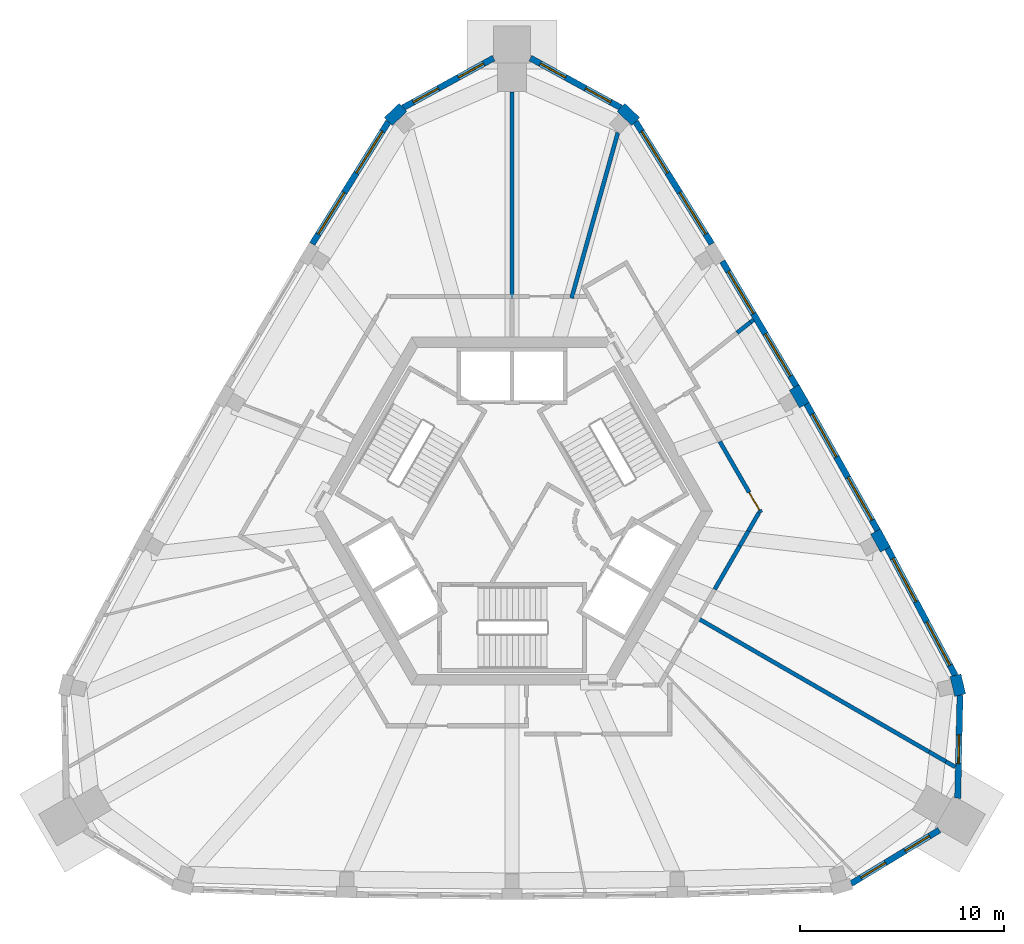
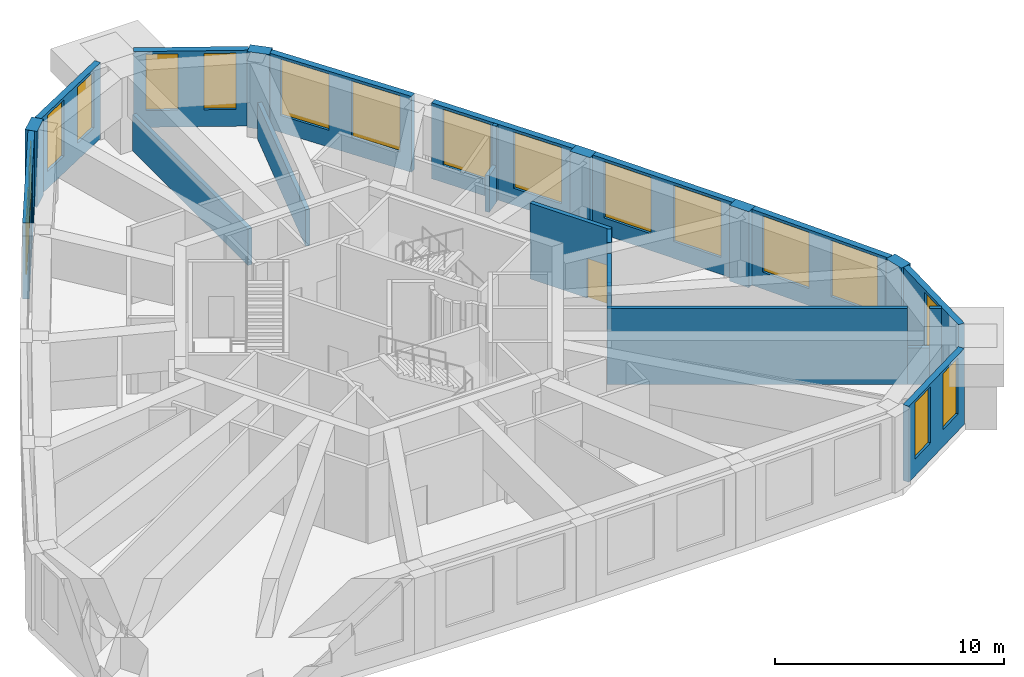
# One storey, part 6 of 9: 25 walls, 17 windows, 1 door, 18 openings.
"""IFC4 building model written with IfcOpenShell, lengths in metres."""

from ifc_helpers import new_model, si_unit, direction, frame, frame_2d, origin, place, context, subcontext, project, spatial, rectangle, extrude, material, layer, layer_set, type_object, element, fill, save


model = new_model("IFC4")

# Units and contexts
model_context = context("Model", 3, precision=1e-05, world=origin(), true_north=direction((0.0, 1.0)))
body_context = subcontext(model_context, "Body", "Model", "MODEL_VIEW")
ifc_project = project(units=[si_unit("LENGTHUNIT", "METRE"), si_unit("AREAUNIT", "SQUARE_METRE"), si_unit("VOLUMEUNIT", "CUBIC_METRE"), si_unit("PLANEANGLEUNIT", "RADIAN"), si_unit("MASSUNIT", "GRAM", prefix="KILO")], contexts=[model_context])

# Site, building, storey
site_placement = place(None, origin())
site = spatial("IfcSite", under=ifc_project, at=site_placement, CompositionType="ELEMENT")
building_placement = place(site_placement, origin())
building = spatial("IfcBuilding", under=site, at=building_placement, Name="Entoto Arch Interchange Tower", CompositionType="ELEMENT")
storey_placement = place(building_placement, frame((0.0, 0.0, 335.89990234375)))
storey = spatial("IfcBuildingStorey", under=building, at=storey_placement, Name="L79", CompositionType="ELEMENT", Elevation=335.89990234375)

# Walls
ifc_material_1 = material(Name="Gypsum board partition on steel studs", Category="steel")
ifc_layer_1 = layer(ifc_material_1, 0.199951171875)
ifc_layer_set_1 = layer_set([ifc_layer_1], Name="Gypsum board partition on steel studs")
wall_type_1 = type_object("IfcWallType", Name="PARTITION 200", PredefinedType="PARTITIONING", material=ifc_layer_set_1)
wall_1_placement = place(storey_placement, frame((9.006103515625, -2.699951171875, 0.0), z_axis=(0.0, 0.0, 1.0), x_axis=(0.86601643423, -0.500015535402, 0.0)))
element("IfcWall", 1, at=wall_1_placement, inside=storey, type_object=wall_type_1, Name="wall:L79:p026", PredefinedType="PARTITIONING", context=body_context, shape_type="SweptSolid", body=[
    extrude(rectangle(XDim=13.1474609375, YDim=0.199951171875, at=frame_2d((6.57373046875, 0.0))), origin(), (0.0, 0.0, 1.0), 4.050048828125),
])
wall_2_placement = place(storey_placement, frame((12.073974609375, 2.4130859375, 0.0), z_axis=(0.0, 0.0, 1.0), x_axis=(-0.499804985043, -0.86613796645, 0.0)))
element("IfcWall", 2, at=wall_2_placement, inside=storey, type_object=wall_type_1, Name="wall:L79:p032", PredefinedType="PARTITIONING", context=body_context, shape_type="SweptSolid", body=[
    extrude(rectangle(XDim=1.0244140625, YDim=0.199951171875, at=frame_2d((0.51220703125, 0.0))), origin(), (0.0, 0.0, 1.0), 4.050048828125),
])
wall_3_placement = place(storey_placement, frame((11.80810546875, 11.84912109375, 0.0), z_axis=(0.0, 0.0, 1.0), x_axis=(-0.782385511742, -0.622794437207, 0.0)))
element("IfcWall", 3, at=wall_3_placement, inside=storey, type_object=wall_type_1, Name="wall:L79:p036", PredefinedType="PARTITIONING", context=body_context, shape_type="SweptSolid", body=[
    extrude(rectangle(XDim=0.188232421875, YDim=0.199951171875, at=frame_2d((0.09423828125, 0.0))), origin(), (0.0, 0.0, 1.0), 4.050048828125),
])
wall_4_placement = place(storey_placement, frame((2.910888671875, 12.904052734375, 0.0), z_axis=(0.0, 0.0, 1.0), x_axis=(0.269466315524, 0.963009815525, 0.0)))
element("IfcWall", 4, at=wall_4_placement, inside=storey, type_object=wall_type_1, Name="wall:L79:p037", PredefinedType="PARTITIONING", context=body_context, shape_type="SweptSolid", body=[
    extrude(rectangle(XDim=8.413330078125, YDim=0.199951171875, at=frame_2d((4.20654296875, 0.0))), origin(), (0.0, 0.0, 1.0), 1.9501953125),
])
wall_5_placement = place(storey_placement, frame((0.0, 12.89990234375, 0.0), z_axis=(0.0, 0.0, 1.0), x_axis=(0.0, 1.0, 0.0)))
element("IfcWall", 5, at=wall_5_placement, inside=storey, type_object=wall_type_1, Name="wall:L79:p038", PredefinedType="PARTITIONING", context=body_context, shape_type="SweptSolid", body=[
    extrude(rectangle(XDim=10.092041015625, YDim=0.199951171875, at=frame_2d((5.0458984375, 0.0))), origin(), (0.0, 0.0, 1.0), 1.9501953125),
])
wall_6_placement = place(storey_placement, frame((20.39208984375, -9.27392578125, 0.0), z_axis=(0.0, 0.0, 1.0), x_axis=(0.865815970987, -0.500362572924, 0.0)))
element("IfcWall", 6, at=wall_6_placement, inside=storey, type_object=wall_type_1, Name="wall:L79:p026", PredefinedType="PARTITIONING", context=body_context, shape_type="SweptSolid", body=[
    extrude(rectangle(XDim=0.957275390625, YDim=0.199951171875, at=frame_2d((0.478515625, 0.0))), origin(), (0.0, 0.0, 1.0), 1.9501953125),
])
wall_7_placement = place(storey_placement, frame((21.220947265625, -9.7529296875, 0.0), z_axis=(0.0, 0.0, 1.0), x_axis=(0.865909406545, -0.500200859313, 0.0)))
element("IfcWall", 7, at=wall_7_placement, inside=storey, type_object=wall_type_1, Name="wall:L79:p026", PredefinedType="PARTITIONING", context=body_context, shape_type="SweptSolid", body=[
    extrude(rectangle(XDim=0.530029296875, YDim=0.199951171875, at=frame_2d((0.26513671875, 0.0))), origin(), (0.0, 0.0, 1.0), 4.050048828125),
])

# Wall, opening, door
wall_8_placement = place(storey_placement, frame((10.1630859375, 5.89599609375, 0.0), z_axis=(0.0, 0.0, 1.0), x_axis=(0.500023722852, -0.866011706956, 0.0)))
wall_8 = element("IfcWall", 8, at=wall_8_placement, inside=storey, type_object=wall_type_1, Name="wall:L79:p031", PredefinedType="PARTITIONING", context=body_context, shape_type="SweptSolid", body=[
    extrude(rectangle(XDim=4.021728515625, YDim=0.199951171875, at=frame_2d((2.0107421875, 0.0))), origin(), (0.0, 0.0, 1.0), 4.050048828125),
])
opening_1_placement = place(wall_8_placement, frame((2.87109375, 0.0, 0.0)))
opening_1 = element("IfcOpeningElement", 9, at=opening_1_placement, cuts=wall_8, Name="Opening L79-D09", PredefinedType="OPENING", context=body_context, shape_type="SweptSolid", body=[
    extrude(rectangle(XDim=1.0, YDim=2.10009765625, at=frame_2d((0.5, 1.050048828125))), frame((0.0, 0.10986328125, 0.0), z_axis=(0.0, -1.0, 0.0), x_axis=(1.0, 0.0, 0.0)), (0.0, 0.0, 1.0), 0.219970703125),
])
ifc_material_2 = material(Name="Timber door leaf in Steel S235 frame", Category="steel")
door_type = type_object("IfcDoorType", Name="DOOR DS-10 1000x2100", OperationType="SINGLE_SWING_LEFT", PredefinedType="DOOR", material=ifc_material_2)
door_placement = place(opening_1_placement, origin())
door = element("IfcDoor", 10, at=door_placement, inside=storey, type_object=door_type, Name="door:L79:09", OperationType="SINGLE_SWING_RIGHT", OverallHeight=2.10009765625, OverallWidth=1.0, PredefinedType="DOOR", context=body_context, shape_type="SweptSolid", body=[
    extrude(rectangle(XDim=1.0, YDim=2.10009765625, at=frame_2d((0.5, 1.050048828125))), frame((0.0, 0.02490234375, 0.0), z_axis=(0.0, -1.0, 0.0), x_axis=(1.0, 0.0, 0.0)), (0.0, 0.0, 1.0), 0.050048828125),
])
fill(opening_1, door)

# Walls
wall_9_placement = place(storey_placement, frame((11.56201171875, 1.52587890625, 0.0), z_axis=(0.0, 0.0, 1.0), x_axis=(-0.500320786851, -0.865840118177, 0.0)))
element("IfcWall", 11, at=wall_9_placement, inside=storey, type_object=wall_type_1, Name="wall:L79:p032", PredefinedType="PARTITIONING", context=body_context, shape_type="SweptSolid", body=[
    extrude(rectangle(XDim=0.84765625, YDim=0.199951171875, at=frame_2d((0.423828125, 0.0))), origin(), (0.0, 0.0, 1.0), 1.9501953125),
])
wall_10_placement = place(storey_placement, frame((11.137939453125, 0.7919921875, 0.0), z_axis=(0.0, 0.0, 1.0), x_axis=(-0.499728202161, -0.866182269482, 0.0)))
element("IfcWall", 12, at=wall_10_placement, inside=storey, type_object=wall_type_1, Name="wall:L79:p032", PredefinedType="PARTITIONING", context=body_context, shape_type="SweptSolid", body=[
    extrude(rectangle(XDim=2.450927734375, YDim=0.199951171875, at=frame_2d((1.2255859375, 0.0))), origin(), (0.0, 0.0, 1.0), 4.050048828125),
])
wall_11_placement = place(storey_placement, frame((11.660888671875, 11.73193359375, 0.0), z_axis=(0.0, 0.0, 1.0), x_axis=(-0.784485189624, -0.620147552813, 0.0)))
element("IfcWall", 13, at=wall_11_placement, inside=storey, type_object=wall_type_1, Name="wall:L79:p036", PredefinedType="PARTITIONING", context=body_context, shape_type="SweptSolid", body=[
    extrude(rectangle(XDim=0.83349609375, YDim=0.199951171875, at=frame_2d((0.416748046875, 0.0))), origin(), (0.0, 0.0, 1.0), 1.9501953125),
])

# Wall, openings, windows
ifc_material_3 = material(Name="Welded tuff (ignimbrite) cladding, warm buff", Category="masonry")
ifc_layer_2 = layer(ifc_material_3, 0.300048828125)
ifc_layer_set_2 = layer_set([ifc_layer_2], Name="Welded tuff (ignimbrite) cladding, warm buff")
wall_type_2 = type_object("IfcWallType", Name="STONE INFILL WALL 300", PredefinedType="STANDARD", material=ifc_layer_set_2)
wall_12_placement = place(storey_placement, frame((16.590087890625, -15.719970703125, 0.0), z_axis=(0.0, 0.0, 1.0), x_axis=(0.854607095238, 0.519275180197, 0.0)))
wall_12 = element("IfcWall", 14, at=wall_12_placement, inside=storey, type_object=wall_type_2, Name="Facade wall SE-01 L79", PredefinedType="STANDARD", context=body_context, shape_type="SweptSolid", body=[
    extrude(rectangle(XDim=5.03955078125, YDim=0.300048828125, at=frame_2d((2.519775390625, 0.0))), origin(), (0.0, 0.0, 1.0), 4.050048828125),
])
opening_2_placement = place(wall_12_placement, frame((0.56005859375, 0.0, 0.89990234375)))
opening_2 = element("IfcOpeningElement", 15, at=opening_2_placement, cuts=wall_12, Name="Opening WK-B", PredefinedType="OPENING", context=body_context, shape_type="SweptSolid", body=[
    extrude(rectangle(XDim=1.39990234375, YDim=3.0, at=frame_2d((0.699951171875, 1.5))), frame((0.0, 0.16015625, 0.0), z_axis=(0.0, -1.0, 0.0), x_axis=(1.0, 0.0, 0.0)), (0.0, 0.0, 1.0), 0.320068359375),
])
opening_3_placement = place(wall_12_placement, frame((3.080078125, 0.0, 0.89990234375)))
opening_3 = element("IfcOpeningElement", 16, at=opening_3_placement, cuts=wall_12, Name="Opening WK-B", PredefinedType="OPENING", context=body_context, shape_type="SweptSolid", body=[
    extrude(rectangle(XDim=1.39990234375, YDim=3.0, at=frame_2d((0.699951171875, 1.5))), frame((0.0, 0.16015625, 0.0), z_axis=(0.0, -1.0, 0.0), x_axis=(1.0, 0.0, 0.0)), (0.0, 0.0, 1.0), 0.320068359375),
])
ifc_material_4 = material(Name="Clear glass, low-e double glazed", Category="glass")
window_type_1 = type_object("IfcWindowType", Name="WINDOW WK-B 1400x3000", PartitioningType="DOUBLE_PANEL_VERTICAL", PredefinedType="WINDOW", material=ifc_material_4)
window_1_placement = place(opening_2_placement, origin())
window_1 = element("IfcWindow", 17, at=window_1_placement, inside=storey, type_object=window_type_1, Name="Window WK-B SE-01 L79", OverallHeight=3.0, OverallWidth=1.39990234375, PartitioningType="SINGLE_PANEL", PredefinedType="WINDOW", context=body_context, shape_type="SweptSolid", body=[
    extrude(rectangle(XDim=1.39990234375, YDim=3.0, at=frame_2d((0.699951171875, 1.5))), frame((0.0, 0.030029296875, 0.0), z_axis=(0.0, -1.0, 0.0), x_axis=(1.0, 0.0, 0.0)), (0.0, 0.0, 1.0), 0.06005859375),
])
fill(opening_2, window_1)
window_2_placement = place(opening_3_placement, origin())
window_2 = element("IfcWindow", 18, at=window_2_placement, inside=storey, type_object=window_type_1, Name="Window WK-B SE-01 L79", OverallHeight=3.0, OverallWidth=1.39990234375, PartitioningType="SINGLE_PANEL", PredefinedType="WINDOW", context=body_context, shape_type="SweptSolid", body=[
    extrude(rectangle(XDim=1.39990234375, YDim=3.0, at=frame_2d((0.699951171875, 1.5))), frame((0.0, 0.030029296875, 0.0), z_axis=(0.0, -1.0, 0.0), x_axis=(1.0, 0.0, 0.0)), (0.0, 0.0, 1.0), 0.06005859375),
])
fill(opening_3, window_2)

# Wall, opening, window
wall_13_placement = place(storey_placement, frame((21.7958984375, -11.5458984375, 0.0), z_axis=(0.0, 0.0, 1.0), x_axis=(0.022431960078, 0.999748371925, 0.0)))
wall_13 = element("IfcWall", 19, at=wall_13_placement, inside=storey, type_object=wall_type_2, Name="Facade wall SE-02 L79", PredefinedType="STANDARD", context=body_context, shape_type="SweptSolid", body=[
    extrude(rectangle(XDim=5.0390625, YDim=0.300048828125, at=frame_2d((2.51953125, 0.0))), origin(), (0.0, 0.0, 1.0), 4.050048828125),
])
opening_4_placement = place(wall_13_placement, frame((1.694091796875, 0.0, 0.89990234375)))
opening_4 = element("IfcOpeningElement", 20, at=opening_4_placement, cuts=wall_13, Name="Opening WK-B", PredefinedType="OPENING", context=body_context, shape_type="SweptSolid", body=[
    extrude(rectangle(XDim=1.39990234375, YDim=3.0, at=frame_2d((0.699951171875, 1.5))), frame((0.0, 0.16015625, 0.0), z_axis=(0.0, -1.0, 0.0), x_axis=(1.0, 0.0, 0.0)), (0.0, 0.0, 1.0), 0.320068359375),
])
window_3_placement = place(opening_4_placement, origin())
window_3 = element("IfcWindow", 21, at=window_3_placement, inside=storey, type_object=window_type_1, Name="Window WK-B SE-02 L79", OverallHeight=3.0, OverallWidth=1.39990234375, PartitioningType="SINGLE_PANEL", PredefinedType="WINDOW", context=body_context, shape_type="SweptSolid", body=[
    extrude(rectangle(XDim=1.39990234375, YDim=3.0, at=frame_2d((0.699951171875, 1.5))), frame((0.0, 0.030029296875, 0.0), z_axis=(0.0, -1.0, 0.0), x_axis=(1.0, 0.0, 0.0)), (0.0, 0.0, 1.0), 0.06005859375),
])
fill(opening_4, window_3)

# Wall, openings, windows
wall_14_placement = place(storey_placement, frame((21.677001953125, -5.537109375, 0.0), z_axis=(0.0, 0.0, 1.0), x_axis=(-0.470447918342, 0.882427762555, 0.0)))
wall_14 = element("IfcWall", 22, at=wall_14_placement, inside=storey, type_object=wall_type_2, Name="Facade wall NE-01 L79", PredefinedType="STANDARD", context=body_context, shape_type="SweptSolid", body=[
    extrude(rectangle(XDim=7.044189453125, YDim=0.300048828125, at=frame_2d((3.52197265625, 0.0))), origin(), (0.0, 0.0, 1.0), 4.050048828125),
])
opening_5_placement = place(wall_14_placement, frame((0.56103515625, 0.0, 0.89990234375)))
opening_5 = element("IfcOpeningElement", 23, at=opening_5_placement, cuts=wall_14, Name="Opening WK-A", PredefinedType="OPENING", context=body_context, shape_type="SweptSolid", body=[
    extrude(rectangle(XDim=2.39990234375, YDim=3.0, at=frame_2d((1.199951171875, 1.5))), frame((0.0, 0.16015625, 0.0), z_axis=(0.0, -1.0, 0.0), x_axis=(1.0, 0.0, 0.0)), (0.0, 0.0, 1.0), 0.320068359375),
])
opening_6_placement = place(wall_14_placement, frame((4.0830078125, 0.0, 0.89990234375)))
opening_6 = element("IfcOpeningElement", 24, at=opening_6_placement, cuts=wall_14, Name="Opening WK-A", PredefinedType="OPENING", context=body_context, shape_type="SweptSolid", body=[
    extrude(rectangle(XDim=2.39990234375, YDim=3.0, at=frame_2d((1.199951171875, 1.5))), frame((0.0, 0.16015625, 0.0), z_axis=(0.0, -1.0, 0.0), x_axis=(1.0, 0.0, 0.0)), (0.0, 0.0, 1.0), 0.320068359375),
])
window_type_2 = type_object("IfcWindowType", Name="WINDOW WK-A 2400x3000", PartitioningType="DOUBLE_PANEL_VERTICAL", PredefinedType="WINDOW", material=ifc_material_4)
window_4_placement = place(opening_5_placement, origin())
window_4 = element("IfcWindow", 25, at=window_4_placement, inside=storey, type_object=window_type_2, Name="Window WK-A NE-01 L79", OverallHeight=3.0, OverallWidth=2.39990234375, PartitioningType="SINGLE_PANEL", PredefinedType="WINDOW", context=body_context, shape_type="SweptSolid", body=[
    extrude(rectangle(XDim=2.39990234375, YDim=3.0, at=frame_2d((1.199951171875, 1.5))), frame((0.0, 0.030029296875, 0.0), z_axis=(0.0, -1.0, 0.0), x_axis=(1.0, 0.0, 0.0)), (0.0, 0.0, 1.0), 0.06005859375),
])
fill(opening_5, window_4)
window_5_placement = place(opening_6_placement, origin())
window_5 = element("IfcWindow", 26, at=window_5_placement, inside=storey, type_object=window_type_2, Name="Window WK-A NE-01 L79", OverallHeight=3.0, OverallWidth=2.39990234375, PartitioningType="SINGLE_PANEL", PredefinedType="WINDOW", context=body_context, shape_type="SweptSolid", body=[
    extrude(rectangle(XDim=2.39990234375, YDim=3.0, at=frame_2d((1.199951171875, 1.5))), frame((0.0, 0.030029296875, 0.0), z_axis=(0.0, -1.0, 0.0), x_axis=(1.0, 0.0, 0.0)), (0.0, 0.0, 1.0), 0.06005859375),
])
fill(opening_6, window_5)

wall_15_placement = place(storey_placement, frame((17.884033203125, 1.553955078125, 0.0), z_axis=(0.0, 0.0, 1.0), x_axis=(-0.49029716741, 0.871555326775, 0.0)))
wall_15 = element("IfcWall", 27, at=wall_15_placement, inside=storey, type_object=wall_type_2, Name="Facade wall NE-02 L79", PredefinedType="STANDARD", context=body_context, shape_type="SweptSolid", body=[
    extrude(rectangle(XDim=7.09765625, YDim=0.300048828125, at=frame_2d((3.548828125, 0.0))), origin(), (0.0, 0.0, 1.0), 4.050048828125),
])
opening_7_placement = place(wall_15_placement, frame((0.573974609375, 0.0, 0.89990234375)))
opening_7 = element("IfcOpeningElement", 28, at=opening_7_placement, cuts=wall_15, Name="Opening WK-A", PredefinedType="OPENING", context=body_context, shape_type="SweptSolid", body=[
    extrude(rectangle(XDim=2.39990234375, YDim=3.0, at=frame_2d((1.199951171875, 1.5))), frame((0.0, 0.16015625, 0.0), z_axis=(0.0, -1.0, 0.0), x_axis=(1.0, 0.0, 0.0)), (0.0, 0.0, 1.0), 0.320068359375),
])
opening_8_placement = place(wall_15_placement, frame((4.123046875, 0.0, 0.89990234375)))
opening_8 = element("IfcOpeningElement", 29, at=opening_8_placement, cuts=wall_15, Name="Opening WK-A", PredefinedType="OPENING", context=body_context, shape_type="SweptSolid", body=[
    extrude(rectangle(XDim=2.39990234375, YDim=3.0, at=frame_2d((1.199951171875, 1.5))), frame((0.0, 0.16015625, 0.0), z_axis=(0.0, -1.0, 0.0), x_axis=(1.0, 0.0, 0.0)), (0.0, 0.0, 1.0), 0.320068359375),
])
window_6_placement = place(opening_7_placement, origin())
window_6 = element("IfcWindow", 30, at=window_6_placement, inside=storey, type_object=window_type_2, Name="Window WK-A NE-02 L79", OverallHeight=3.0, OverallWidth=2.39990234375, PartitioningType="SINGLE_PANEL", PredefinedType="WINDOW", context=body_context, shape_type="SweptSolid", body=[
    extrude(rectangle(XDim=2.39990234375, YDim=3.0, at=frame_2d((1.199951171875, 1.5))), frame((0.0, 0.030029296875, 0.0), z_axis=(0.0, -1.0, 0.0), x_axis=(1.0, 0.0, 0.0)), (0.0, 0.0, 1.0), 0.06005859375),
])
fill(opening_7, window_6)
window_7_placement = place(opening_8_placement, origin())
window_7 = element("IfcWindow", 31, at=window_7_placement, inside=storey, type_object=window_type_2, Name="Window WK-A NE-02 L79", OverallHeight=3.0, OverallWidth=2.39990234375, PartitioningType="SINGLE_PANEL", PredefinedType="WINDOW", context=body_context, shape_type="SweptSolid", body=[
    extrude(rectangle(XDim=2.39990234375, YDim=3.0, at=frame_2d((1.199951171875, 1.5))), frame((0.0, 0.030029296875, 0.0), z_axis=(0.0, -1.0, 0.0), x_axis=(1.0, 0.0, 0.0)), (0.0, 0.0, 1.0), 0.06005859375),
])
fill(opening_8, window_7)

wall_16_placement = place(storey_placement, frame((13.905029296875, 8.60400390625, 0.0), z_axis=(0.0, 0.0, 1.0), x_axis=(-0.509697735304, 0.86035354281, 0.0)))
wall_16 = element("IfcWall", 32, at=wall_16_placement, inside=storey, type_object=wall_type_2, Name="Facade wall NE-03 L79", PredefinedType="STANDARD", context=body_context, shape_type="SweptSolid", body=[
    extrude(rectangle(XDim=7.09814453125, YDim=0.300048828125, at=frame_2d((3.549072265625, 0.0))), origin(), (0.0, 0.0, 1.0), 4.050048828125),
])
opening_9_placement = place(wall_16_placement, frame((0.574951171875, 0.0, 0.89990234375)))
opening_9 = element("IfcOpeningElement", 33, at=opening_9_placement, cuts=wall_16, Name="Opening WK-A", PredefinedType="OPENING", context=body_context, shape_type="SweptSolid", body=[
    extrude(rectangle(XDim=2.39990234375, YDim=3.0, at=frame_2d((1.199951171875, 1.5))), frame((0.0, 0.16015625, 0.0), z_axis=(0.0, -1.0, 0.0), x_axis=(1.0, 0.0, 0.0)), (0.0, 0.0, 1.0), 0.320068359375),
])
opening_10_placement = place(wall_16_placement, frame((4.1240234375, 0.0, 0.89990234375)))
opening_10 = element("IfcOpeningElement", 34, at=opening_10_placement, cuts=wall_16, Name="Opening WK-A", PredefinedType="OPENING", context=body_context, shape_type="SweptSolid", body=[
    extrude(rectangle(XDim=2.39990234375, YDim=3.0, at=frame_2d((1.199951171875, 1.5))), frame((0.0, 0.16015625, 0.0), z_axis=(0.0, -1.0, 0.0), x_axis=(1.0, 0.0, 0.0)), (0.0, 0.0, 1.0), 0.320068359375),
])
window_8_placement = place(opening_9_placement, origin())
window_8 = element("IfcWindow", 35, at=window_8_placement, inside=storey, type_object=window_type_2, Name="Window WK-A NE-03 L79", OverallHeight=3.0, OverallWidth=2.39990234375, PartitioningType="SINGLE_PANEL", PredefinedType="WINDOW", context=body_context, shape_type="SweptSolid", body=[
    extrude(rectangle(XDim=2.39990234375, YDim=3.0, at=frame_2d((1.199951171875, 1.5))), frame((0.0, 0.030029296875, 0.0), z_axis=(0.0, -1.0, 0.0), x_axis=(1.0, 0.0, 0.0)), (0.0, 0.0, 1.0), 0.06005859375),
])
fill(opening_9, window_8)
window_9_placement = place(opening_10_placement, origin())
window_9 = element("IfcWindow", 36, at=window_9_placement, inside=storey, type_object=window_type_2, Name="Window WK-A NE-03 L79", OverallHeight=3.0, OverallWidth=2.39990234375, PartitioningType="SINGLE_PANEL", PredefinedType="WINDOW", context=body_context, shape_type="SweptSolid", body=[
    extrude(rectangle(XDim=2.39990234375, YDim=3.0, at=frame_2d((1.199951171875, 1.5))), frame((0.0, 0.030029296875, 0.0), z_axis=(0.0, -1.0, 0.0), x_axis=(1.0, 0.0, 0.0)), (0.0, 0.0, 1.0), 0.06005859375),
])
fill(opening_10, window_9)

wall_17_placement = place(storey_placement, frame((9.76904296875, 15.56396484375, 0.0), z_axis=(0.0, 0.0, 1.0), x_axis=(-0.528920387505, 0.848671446251, 0.0)))
wall_17 = element("IfcWall", 37, at=wall_17_placement, inside=storey, type_object=wall_type_2, Name="Facade wall NE-04 L79", PredefinedType="STANDARD", context=body_context, shape_type="SweptSolid", body=[
    extrude(rectangle(XDim=7.042724609375, YDim=0.300048828125, at=frame_2d((3.521484375, 0.0))), origin(), (0.0, 0.0, 1.0), 4.050048828125),
])
opening_11_placement = place(wall_17_placement, frame((0.56103515625, 0.0, 0.89990234375)))
opening_11 = element("IfcOpeningElement", 38, at=opening_11_placement, cuts=wall_17, Name="Opening WK-A", PredefinedType="OPENING", context=body_context, shape_type="SweptSolid", body=[
    extrude(rectangle(XDim=2.39990234375, YDim=3.0, at=frame_2d((1.199951171875, 1.5))), frame((0.0, 0.16015625, 0.0), z_axis=(0.0, -1.0, 0.0), x_axis=(1.0, 0.0, 0.0)), (0.0, 0.0, 1.0), 0.320068359375),
])
opening_12_placement = place(wall_17_placement, frame((4.08203125, 0.0, 0.89990234375)))
opening_12 = element("IfcOpeningElement", 39, at=opening_12_placement, cuts=wall_17, Name="Opening WK-A", PredefinedType="OPENING", context=body_context, shape_type="SweptSolid", body=[
    extrude(rectangle(XDim=2.39990234375, YDim=3.0, at=frame_2d((1.199951171875, 1.5))), frame((0.0, 0.16015625, 0.0), z_axis=(0.0, -1.0, 0.0), x_axis=(1.0, 0.0, 0.0)), (0.0, 0.0, 1.0), 0.320068359375),
])
window_10_placement = place(opening_11_placement, origin())
window_10 = element("IfcWindow", 40, at=window_10_placement, inside=storey, type_object=window_type_2, Name="Window WK-A NE-04 L79", OverallHeight=3.0, OverallWidth=2.39990234375, PartitioningType="SINGLE_PANEL", PredefinedType="WINDOW", context=body_context, shape_type="SweptSolid", body=[
    extrude(rectangle(XDim=2.39990234375, YDim=3.0, at=frame_2d((1.199951171875, 1.5))), frame((0.0, 0.030029296875, 0.0), z_axis=(0.0, -1.0, 0.0), x_axis=(1.0, 0.0, 0.0)), (0.0, 0.0, 1.0), 0.06005859375),
])
fill(opening_11, window_10)
window_11_placement = place(opening_12_placement, origin())
window_11 = element("IfcWindow", 41, at=window_11_placement, inside=storey, type_object=window_type_2, Name="Window WK-A NE-04 L79", OverallHeight=3.0, OverallWidth=2.39990234375, PartitioningType="SINGLE_PANEL", PredefinedType="WINDOW", context=body_context, shape_type="SweptSolid", body=[
    extrude(rectangle(XDim=2.39990234375, YDim=3.0, at=frame_2d((1.199951171875, 1.5))), frame((0.0, 0.030029296875, 0.0), z_axis=(0.0, -1.0, 0.0), x_axis=(1.0, 0.0, 0.0)), (0.0, 0.0, 1.0), 0.06005859375),
])
fill(opening_12, window_11)

wall_18_placement = place(storey_placement, frame((5.319091796875, 22.22705078125, 0.0), z_axis=(0.0, 0.0, 1.0), x_axis=(-0.877068569324, 0.480365199305, 0.0)))
wall_18 = element("IfcWall", 42, at=wall_18_placement, inside=storey, type_object=wall_type_2, Name="Facade wall N-01 L79", PredefinedType="STANDARD", context=body_context, shape_type="SweptSolid", body=[
    extrude(rectangle(XDim=5.039794921875, YDim=0.300048828125, at=frame_2d((2.52001953125, 0.0))), origin(), (0.0, 0.0, 1.0), 4.050048828125),
])
opening_13_placement = place(wall_18_placement, frame((0.56005859375, 0.0, 0.89990234375)))
opening_13 = element("IfcOpeningElement", 43, at=opening_13_placement, cuts=wall_18, Name="Opening WK-B", PredefinedType="OPENING", context=body_context, shape_type="SweptSolid", body=[
    extrude(rectangle(XDim=1.39990234375, YDim=3.0, at=frame_2d((0.699951171875, 1.5))), frame((0.0, 0.16015625, 0.0), z_axis=(0.0, -1.0, 0.0), x_axis=(1.0, 0.0, 0.0)), (0.0, 0.0, 1.0), 0.320068359375),
])
opening_14_placement = place(wall_18_placement, frame((3.080078125, 0.0, 0.89990234375)))
opening_14 = element("IfcOpeningElement", 44, at=opening_14_placement, cuts=wall_18, Name="Opening WK-B", PredefinedType="OPENING", context=body_context, shape_type="SweptSolid", body=[
    extrude(rectangle(XDim=1.39990234375, YDim=3.0, at=frame_2d((0.699951171875, 1.5))), frame((0.0, 0.16015625, 0.0), z_axis=(0.0, -1.0, 0.0), x_axis=(1.0, 0.0, 0.0)), (0.0, 0.0, 1.0), 0.320068359375),
])
window_12_placement = place(opening_13_placement, origin())
window_12 = element("IfcWindow", 45, at=window_12_placement, inside=storey, type_object=window_type_1, Name="Window WK-B N-01 L79", OverallHeight=3.0, OverallWidth=1.39990234375, PartitioningType="SINGLE_PANEL", PredefinedType="WINDOW", context=body_context, shape_type="SweptSolid", body=[
    extrude(rectangle(XDim=1.39990234375, YDim=3.0, at=frame_2d((0.699951171875, 1.5))), frame((0.0, 0.030029296875, 0.0), z_axis=(0.0, -1.0, 0.0), x_axis=(1.0, 0.0, 0.0)), (0.0, 0.0, 1.0), 0.06005859375),
])
fill(opening_13, window_12)
window_13_placement = place(opening_14_placement, origin())
window_13 = element("IfcWindow", 46, at=window_13_placement, inside=storey, type_object=window_type_1, Name="Window WK-B N-01 L79", OverallHeight=3.0, OverallWidth=1.39990234375, PartitioningType="SINGLE_PANEL", PredefinedType="WINDOW", context=body_context, shape_type="SweptSolid", body=[
    extrude(rectangle(XDim=1.39990234375, YDim=3.0, at=frame_2d((0.699951171875, 1.5))), frame((0.0, 0.030029296875, 0.0), z_axis=(0.0, -1.0, 0.0), x_axis=(1.0, 0.0, 0.0)), (0.0, 0.0, 1.0), 0.06005859375),
])
fill(opening_14, window_13)

wall_19_placement = place(storey_placement, frame((-0.89892578125, 24.64794921875, 0.0), z_axis=(0.0, 0.0, 1.0), x_axis=(-0.877068569324, -0.480365199305, 0.0)))
wall_19 = element("IfcWall", 47, at=wall_19_placement, inside=storey, type_object=wall_type_2, Name="Facade wall N-02 L79", PredefinedType="STANDARD", context=body_context, shape_type="SweptSolid", body=[
    extrude(rectangle(XDim=5.039794921875, YDim=0.300048828125, at=frame_2d((2.52001953125, 0.0))), origin(), (0.0, 0.0, 1.0), 4.050048828125),
])
opening_15_placement = place(wall_19_placement, frame((0.56005859375, 0.0, 0.89990234375)))
opening_15 = element("IfcOpeningElement", 48, at=opening_15_placement, cuts=wall_19, Name="Opening WK-B", PredefinedType="OPENING", context=body_context, shape_type="SweptSolid", body=[
    extrude(rectangle(XDim=1.39990234375, YDim=3.0, at=frame_2d((0.699951171875, 1.5))), frame((0.0, 0.16015625, 0.0), z_axis=(0.0, -1.0, 0.0), x_axis=(1.0, 0.0, 0.0)), (0.0, 0.0, 1.0), 0.320068359375),
])
opening_16_placement = place(wall_19_placement, frame((3.080078125, 0.0, 0.89990234375)))
opening_16 = element("IfcOpeningElement", 49, at=opening_16_placement, cuts=wall_19, Name="Opening WK-B", PredefinedType="OPENING", context=body_context, shape_type="SweptSolid", body=[
    extrude(rectangle(XDim=1.39990234375, YDim=3.0, at=frame_2d((0.699951171875, 1.5))), frame((0.0, 0.16015625, 0.0), z_axis=(0.0, -1.0, 0.0), x_axis=(1.0, 0.0, 0.0)), (0.0, 0.0, 1.0), 0.320068359375),
])
window_14_placement = place(opening_15_placement, origin())
window_14 = element("IfcWindow", 50, at=window_14_placement, inside=storey, type_object=window_type_1, Name="Window WK-B N-02 L79", OverallHeight=3.0, OverallWidth=1.39990234375, PartitioningType="SINGLE_PANEL", PredefinedType="WINDOW", context=body_context, shape_type="SweptSolid", body=[
    extrude(rectangle(XDim=1.39990234375, YDim=3.0, at=frame_2d((0.699951171875, 1.5))), frame((0.0, 0.030029296875, 0.0), z_axis=(0.0, -1.0, 0.0), x_axis=(1.0, 0.0, 0.0)), (0.0, 0.0, 1.0), 0.06005859375),
])
fill(opening_15, window_14)
window_15_placement = place(opening_16_placement, origin())
window_15 = element("IfcWindow", 51, at=window_15_placement, inside=storey, type_object=window_type_1, Name="Window WK-B N-02 L79", OverallHeight=3.0, OverallWidth=1.39990234375, PartitioningType="SINGLE_PANEL", PredefinedType="WINDOW", context=body_context, shape_type="SweptSolid", body=[
    extrude(rectangle(XDim=1.39990234375, YDim=3.0, at=frame_2d((0.699951171875, 1.5))), frame((0.0, 0.030029296875, 0.0), z_axis=(0.0, -1.0, 0.0), x_axis=(1.0, 0.0, 0.0)), (0.0, 0.0, 1.0), 0.06005859375),
])
fill(opening_16, window_15)

wall_20_placement = place(storey_placement, frame((-6.0439453125, 21.541015625, 0.0), z_axis=(0.0, 0.0, 1.0), x_axis=(-0.528920387505, -0.848671446251, 0.0)))
wall_20 = element("IfcWall", 52, at=wall_20_placement, inside=storey, type_object=wall_type_2, Name="Facade wall NW-01 L79", PredefinedType="STANDARD", context=body_context, shape_type="SweptSolid", body=[
    extrude(rectangle(XDim=7.042724609375, YDim=0.300048828125, at=frame_2d((3.521484375, 0.0))), origin(), (0.0, 0.0, 1.0), 4.050048828125),
])
opening_17_placement = place(wall_20_placement, frame((0.56103515625, 0.0, 0.89990234375)))
opening_17 = element("IfcOpeningElement", 53, at=opening_17_placement, cuts=wall_20, Name="Opening WK-A", PredefinedType="OPENING", context=body_context, shape_type="SweptSolid", body=[
    extrude(rectangle(XDim=2.39990234375, YDim=3.0, at=frame_2d((1.199951171875, 1.5))), frame((0.0, 0.16015625, 0.0), z_axis=(0.0, -1.0, 0.0), x_axis=(1.0, 0.0, 0.0)), (0.0, 0.0, 1.0), 0.320068359375),
])
opening_18_placement = place(wall_20_placement, frame((4.08203125, 0.0, 0.89990234375)))
opening_18 = element("IfcOpeningElement", 54, at=opening_18_placement, cuts=wall_20, Name="Opening WK-A", PredefinedType="OPENING", context=body_context, shape_type="SweptSolid", body=[
    extrude(rectangle(XDim=2.39990234375, YDim=3.0, at=frame_2d((1.199951171875, 1.5))), frame((0.0, 0.16015625, 0.0), z_axis=(0.0, -1.0, 0.0), x_axis=(1.0, 0.0, 0.0)), (0.0, 0.0, 1.0), 0.320068359375),
])
window_16_placement = place(opening_17_placement, origin())
window_16 = element("IfcWindow", 55, at=window_16_placement, inside=storey, type_object=window_type_2, Name="Window WK-A NW-01 L79", OverallHeight=3.0, OverallWidth=2.39990234375, PartitioningType="SINGLE_PANEL", PredefinedType="WINDOW", context=body_context, shape_type="SweptSolid", body=[
    extrude(rectangle(XDim=2.39990234375, YDim=3.0, at=frame_2d((1.199951171875, 1.5))), frame((0.0, 0.030029296875, 0.0), z_axis=(0.0, -1.0, 0.0), x_axis=(1.0, 0.0, 0.0)), (0.0, 0.0, 1.0), 0.06005859375),
])
fill(opening_17, window_16)
window_17_placement = place(opening_18_placement, origin())
window_17 = element("IfcWindow", 56, at=window_17_placement, inside=storey, type_object=window_type_2, Name="Window WK-A NW-01 L79", OverallHeight=3.0, OverallWidth=2.39990234375, PartitioningType="SINGLE_PANEL", PredefinedType="WINDOW", context=body_context, shape_type="SweptSolid", body=[
    extrude(rectangle(XDim=2.39990234375, YDim=3.0, at=frame_2d((1.199951171875, 1.5))), frame((0.0, 0.030029296875, 0.0), z_axis=(0.0, -1.0, 0.0), x_axis=(1.0, 0.0, 0.0)), (0.0, 0.0, 1.0), 0.06005859375),
])
fill(opening_18, window_17)

# Walls
ifc_layer_3 = layer(ifc_material_3, 0.550048828125)
ifc_layer_set_3 = layer_set([ifc_layer_3], Name="Welded tuff (ignimbrite) cladding, warm buff")
wall_type_3 = type_object("IfcWallType", Name="STONE PIER CLADDING 550", PredefinedType="STANDARD", material=ifc_layer_set_3)
wall_21_placement = place(storey_placement, frame((21.9189453125, -6.506103515625, 0.0), z_axis=(0.0, 0.0, 1.0), x_axis=(-0.230916459446, 0.972973580709, 0.0)))
element("IfcWall", 57, at=wall_21_placement, inside=storey, type_object=wall_type_3, Name="Stone pier NE01 L79", PredefinedType="STANDARD", context=body_context, shape_type="SweptSolid", body=[
    extrude(rectangle(XDim=1.000244140625, YDim=0.550048828125, at=frame_2d((0.5, 0.0))), origin(), (0.0, 0.0, 1.0), 4.050048828125),
])
wall_22_placement = place(storey_placement, frame((18.259033203125, 0.6201171875, 0.0), z_axis=(0.0, 0.0, 1.0), x_axis=(-0.480117793957, 0.877204026396, 0.0)))
element("IfcWall", 58, at=wall_22_placement, inside=storey, type_object=wall_type_3, Name="Stone pier NE02 L79", PredefinedType="STANDARD", context=body_context, shape_type="SweptSolid", body=[
    extrude(rectangle(XDim=0.999755859375, YDim=0.550048828125, at=frame_2d((0.5, 0.0))), origin(), (0.0, 0.0, 1.0), 4.050048828125),
])
wall_23_placement = place(storey_placement, frame((14.301025390625, 7.678955078125, 0.0), z_axis=(0.0, 0.0, 1.0), x_axis=(-0.49960277677, 0.866254619292, 0.0)))
element("IfcWall", 59, at=wall_23_placement, inside=storey, type_object=wall_type_3, Name="Stone pier NE03 L79", PredefinedType="STANDARD", context=body_context, shape_type="SweptSolid", body=[
    extrude(rectangle(XDim=1.000732421875, YDim=0.550048828125, at=frame_2d((0.50048828125, 0.0))), origin(), (0.0, 0.0, 1.0), 4.050048828125),
])
for number, where, z_axis, x_axis, name in (
    (60, (6.052001953125, 21.549072265625, 0.0), (0.0, 0.0, 1.0), (-0.726376136967, 0.687297393888, 0.0), "Stone pier NE05 L79"),
    (61, (-5.325927734375, 22.236083984375, 0.0), (0.0, 0.0, 1.0), (-0.726376136967, -0.687297393888, 0.0), "Stone pier NW01 L79"),
):
    element("IfcWall", number, at=place(storey_placement, frame(where, z_axis=z_axis, x_axis=x_axis)), inside=storey, type_object=wall_type_3, Name=name, PredefinedType="STANDARD", context=body_context, shape_type="SweptSolid", body=[
        extrude(rectangle(XDim=0.99951171875, YDim=0.550048828125, at=frame_2d((0.499755859375, 0.0))), origin(), (0.0, 0.0, 1.0), 4.050048828125),
    ])

save(model, "model.ifc")
